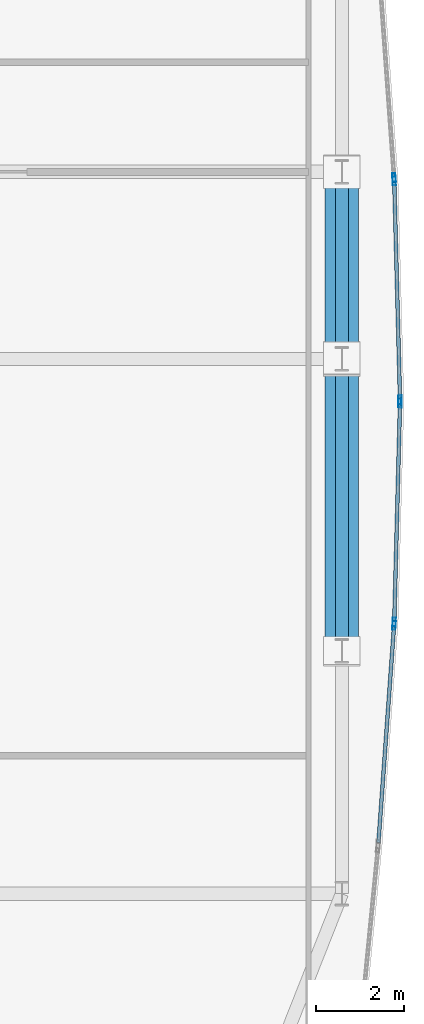
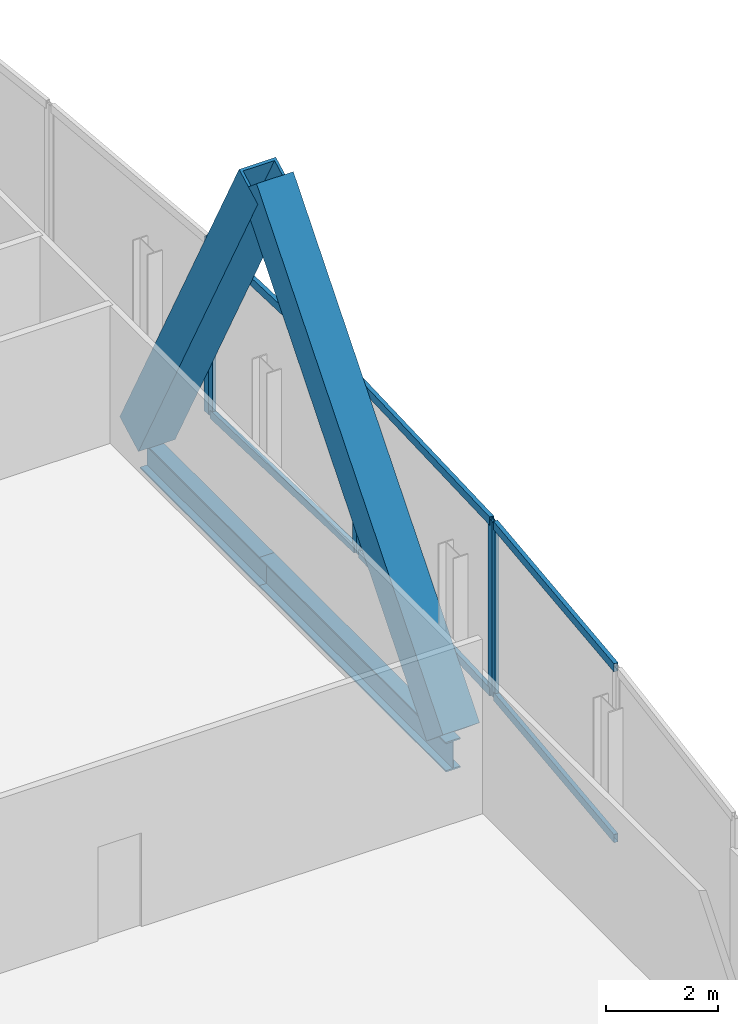
# One storey, part 22 of 33: 14 members, 2 beams, 4 elements without a shape of their own.
"""IFC4 building model written with IfcOpenShell, lengths in metres."""

from ifc_helpers import new_model, si_unit, direction, frame, origin, origin_2d, place, context, subcontext, project, spatial, hollow_rectangle, i_section, extrude, material, material_profile, profile_set, type_object, element, aggregate, save


model = new_model("IFC4")

# Units and contexts
model_context = context("Model", 3, precision=1e-05, world=origin(), true_north=direction((0.0, 1.0)))
body_context = subcontext(model_context, "Body", "Model", "MODEL_VIEW")
ifc_project = project(units=[si_unit("LENGTHUNIT", "METRE"), si_unit("AREAUNIT", "SQUARE_METRE"), si_unit("VOLUMEUNIT", "CUBIC_METRE"), si_unit("PLANEANGLEUNIT", "RADIAN"), si_unit("MASSUNIT", "GRAM", prefix="KILO")], contexts=[model_context])

# Site, building, storey
site_placement = place(None, origin())
site = spatial("IfcSite", under=ifc_project, at=site_placement, CompositionType="ELEMENT")
building_placement = place(site_placement, origin())
building = spatial("IfcBuilding", under=site, at=building_placement, Name="Khoronbel Lancet Exchange", CompositionType="ELEMENT")
storey_placement = place(building_placement, frame((0.0, 0.0, 73.800048828125)))
storey = spatial("IfcBuildingStorey", under=building, at=storey_placement, Name="L17", CompositionType="ELEMENT", Elevation=73.800048828125)

# Beams
ifc_material_1 = material(Name="Steel S355", Category="steel")
ifc_material_profile_1 = material_profile(ifc_material_1, i_section(OverallWidth=0.300048828125, OverallDepth=0.64990234375, WebThickness=0.01611328125, FlangeThickness=0.031005859375, at=origin_2d()), Name="HEB 650")
ifc_profile_set_1 = profile_set([ifc_material_profile_1], Name="Steel S355")
beam_type = type_object("IfcBeamType", Name="BM-BSP1", PredefinedType="SPANDREL", material=ifc_profile_set_1)
beam_1_placement = place(storey_placement, frame((71.6298828125, 24.75, -0.505126953125), z_axis=(0.0, 1.0, 0.0), x_axis=(-1.0, 0.0, 0.0)))
element("IfcBeam", 1, at=beam_1_placement, inside=storey, type_object=beam_type, Name="Level L17 perimeter spandrel beam SP12", PredefinedType="SPANDREL", context=body_context, shape_type="SweptSolid", body=[
    extrude(i_section(OverallWidth=0.300048828125, OverallDepth=0.64990234375, WebThickness=0.01611328125, FlangeThickness=0.031005859375, at=origin_2d()), origin(), (0.0, 0.0, 1.0), 6.675048828125),
])
beam_2_placement = place(storey_placement, frame((71.6298828125, 31.425048828125, -0.505126953125), z_axis=(0.0, 1.0, 0.0), x_axis=(-1.0, 0.0, 0.0)))
element("IfcBeam", 2, at=beam_2_placement, inside=storey, type_object=beam_type, Name="Level L17 perimeter spandrel beam SP13", PredefinedType="SPANDREL", context=body_context, shape_type="SweptSolid", body=[
    extrude(i_section(OverallWidth=0.300048828125, OverallDepth=0.64990234375, WebThickness=0.01611328125, FlangeThickness=0.031005859375, at=origin_2d()), origin(), (0.0, 0.0, 1.0), 4.27490234375),
])

# Curtain wall, member
ifc_material_2 = material(Name="Low-E Solar Control Insulating Glass", Category="glass")
curtain_wall_type = type_object("IfcCurtainWallType", Name="CW-4", PredefinedType="NOTDEFINED", material=ifc_material_2)
curtain_wall_1_placement = place(storey_placement, origin())
curtain_wall_1 = element("IfcCurtainWall", 3, at=curtain_wall_1_placement, inside=storey, type_object=curtain_wall_type, Name="Unitised curtain wall CW-L17-E18", PredefinedType="NOTDEFINED")
ifc_material_3 = material(Name="Bronze-Anodised Aluminium 6063-T6", Category="aluminium")
ifc_material_profile_2 = material_profile(ifc_material_3, hollow_rectangle(XDim=0.074951171875, YDim=0.199951171875, WallThickness=0.0048828125, at=origin_2d()), Name="ALU MULLION 75x200")
ifc_profile_set_2 = profile_set([ifc_material_profile_2], Name="Bronze-Anodised Aluminium 6063-T6")
member_type_1 = type_object("IfcMemberType", Name="MEM-CWM2", PredefinedType="MULLION", material=ifc_profile_set_2)
member_1_placement = place(storey_placement, frame((72.823486328125, 35.56640625, 0.0), z_axis=(0.0, 0.0, 1.0), x_axis=(0.997417674327, 0.071819098708, 0.0)))
member_1 = element("IfcMember", 4, at=member_1_placement, type_object=member_type_1, Name="CW4 mullion 2", PredefinedType="MULLION", context=body_context, shape_type="SweptSolid", body=[
    extrude(hollow_rectangle(XDim=0.074951171875, YDim=0.199951171875, WallThickness=0.0048828125, at=origin_2d()), origin(), (0.0, 0.0, 1.0), 3.820068359375),
])
aggregate(curtain_wall_1, [member_1])

# Curtain wall, members
curtain_wall_2_placement = place(storey_placement, origin())
curtain_wall_2 = element("IfcCurtainWall", 5, at=curtain_wall_2_placement, inside=storey, type_object=curtain_wall_type, Name="Unitised curtain wall CW-L17-E19", PredefinedType="NOTDEFINED")
member_2_placement = place(storey_placement, frame((72.8271484375, 35.491455078125, 0.0), z_axis=(0.0, 0.0, 1.0), x_axis=(0.999652651433, 0.026354818961, 0.0)))
member_2 = element("IfcMember", 6, at=member_2_placement, type_object=member_type_1, Name="CW4 mullion 1", PredefinedType="MULLION", context=body_context, shape_type="SweptSolid", body=[
    extrude(hollow_rectangle(XDim=0.074951171875, YDim=0.199951171875, WallThickness=0.0048828125, at=origin_2d()), origin(), (0.0, 0.0, 1.0), 3.820068359375),
])
member_3_placement = place(storey_placement, frame((72.958984375, 30.487548828125, 0.0), z_axis=(0.0, 0.0, 1.0), x_axis=(0.999652651433, 0.026354818961, 0.0)))
member_3 = element("IfcMember", 7, at=member_3_placement, type_object=member_type_1, Name="CW4 mullion 2", PredefinedType="MULLION", context=body_context, shape_type="SweptSolid", body=[
    extrude(hollow_rectangle(XDim=0.074951171875, YDim=0.199951171875, WallThickness=0.0048828125, at=origin_2d()), origin(), (0.0, 0.0, 1.0), 3.820068359375),
])

curtain_wall_3_placement = place(storey_placement, origin())
curtain_wall_3 = element("IfcCurtainWall", 8, at=curtain_wall_3_placement, inside=storey, type_object=curtain_wall_type, Name="Unitised curtain wall CW-L17-E20", PredefinedType="NOTDEFINED")
member_4_placement = place(storey_placement, frame((72.958984375, 30.41259765625, 0.0), z_axis=(0.0, 0.0, 1.0), x_axis=(0.999652651433, -0.026354818961, 0.0)))
member_4 = element("IfcMember", 9, at=member_4_placement, type_object=member_type_1, Name="CW4 mullion 1", PredefinedType="MULLION", context=body_context, shape_type="SweptSolid", body=[
    extrude(hollow_rectangle(XDim=0.074951171875, YDim=0.199951171875, WallThickness=0.0048828125, at=origin_2d()), origin(), (0.0, 0.0, 1.0), 3.820068359375),
])
member_5_placement = place(storey_placement, frame((72.8271484375, 25.40869140625, 0.0), z_axis=(0.0, 0.0, 1.0), x_axis=(0.999652651433, -0.026354818961, 0.0)))
member_5 = element("IfcMember", 10, at=member_5_placement, type_object=member_type_1, Name="CW4 mullion 2", PredefinedType="MULLION", context=body_context, shape_type="SweptSolid", body=[
    extrude(hollow_rectangle(XDim=0.074951171875, YDim=0.199951171875, WallThickness=0.0048828125, at=origin_2d()), origin(), (0.0, 0.0, 1.0), 3.820068359375),
])

# Curtain wall, member
curtain_wall_4_placement = place(storey_placement, origin())
curtain_wall_4 = element("IfcCurtainWall", 11, at=curtain_wall_4_placement, inside=storey, type_object=curtain_wall_type, Name="Unitised curtain wall CW-L17-E21", PredefinedType="NOTDEFINED")
member_6_placement = place(storey_placement, frame((72.823486328125, 25.333740234375, 0.0), z_axis=(0.0, 0.0, 1.0), x_axis=(0.997417674327, -0.071819098708, 0.0)))
member_6 = element("IfcMember", 12, at=member_6_placement, type_object=member_type_1, Name="CW4 mullion 1", PredefinedType="MULLION", context=body_context, shape_type="SweptSolid", body=[
    extrude(hollow_rectangle(XDim=0.074951171875, YDim=0.199951171875, WallThickness=0.0048828125, at=origin_2d()), origin(), (0.0, 0.0, 1.0), 3.820068359375),
])

# Member
ifc_material_profile_3 = material_profile(ifc_material_3, hollow_rectangle(XDim=0.0849609375, YDim=0.179931640625, WallThickness=0.0048828125, at=origin_2d()), Name="ALU TRANSOM 85x180")
ifc_profile_set_3 = profile_set([ifc_material_profile_3], Name="Bronze-Anodised Aluminium 6063-T6")
member_type_2 = type_object("IfcMemberType", Name="MEM-CWT1", PredefinedType="USERDEFINED", material=ifc_profile_set_3)
member_7_placement = place(storey_placement, frame((72.828125, 35.453857421875, 0.04248046875), z_axis=(0.026341839247, -0.999652993546, 0.0), x_axis=(0.999652993546, 0.026341839247, 0.0)))
member_7 = element("IfcMember", 13, at=member_7_placement, type_object=member_type_2, Name="CW4 transom 1.1", ObjectType="TRANSOM", PredefinedType="USERDEFINED", context=body_context, shape_type="SweptSolid", body=[
    extrude(hollow_rectangle(XDim=0.0849609375, YDim=0.179931640625, WallThickness=0.0048828125, at=origin_2d()), origin(), (0.0, 0.0, 1.0), 4.9306640625),
])

member_8_placement = place(storey_placement, frame((72.828125, 35.453857421875, 3.77734375), z_axis=(0.026341839247, -0.999652993546, 0.0), x_axis=(0.999652993546, 0.026341839247, 0.0)))
member_8 = element("IfcMember", 14, at=member_8_placement, type_object=member_type_2, Name="CW4 transom 1.2", ObjectType="TRANSOM", PredefinedType="USERDEFINED", context=body_context, shape_type="SweptSolid", body=[
    extrude(hollow_rectangle(XDim=0.0849609375, YDim=0.179931640625, WallThickness=0.0048828125, at=origin_2d()), origin(), (0.0, 0.0, 1.0), 4.9306640625),
])

aggregate(curtain_wall_2, [member_2, member_3, member_7, member_8])

member_9_placement = place(storey_placement, frame((72.9580078125, 30.375, 0.04248046875), z_axis=(-0.026341839247, -0.999652993546, 0.0), x_axis=(0.999652993546, -0.026341839247, 0.0)))
member_9 = element("IfcMember", 15, at=member_9_placement, type_object=member_type_2, Name="CW4 transom 1.1", ObjectType="TRANSOM", PredefinedType="USERDEFINED", context=body_context, shape_type="SweptSolid", body=[
    extrude(hollow_rectangle(XDim=0.0849609375, YDim=0.179931640625, WallThickness=0.0048828125, at=origin_2d()), origin(), (0.0, 0.0, 1.0), 4.9306640625),
])

member_10_placement = place(storey_placement, frame((72.9580078125, 30.375, 3.77734375), z_axis=(-0.026341839247, -0.999652993546, 0.0), x_axis=(0.999652993546, -0.026341839247, 0.0)))
member_10 = element("IfcMember", 16, at=member_10_placement, type_object=member_type_2, Name="CW4 transom 1.2", ObjectType="TRANSOM", PredefinedType="USERDEFINED", context=body_context, shape_type="SweptSolid", body=[
    extrude(hollow_rectangle(XDim=0.0849609375, YDim=0.179931640625, WallThickness=0.0048828125, at=origin_2d()), origin(), (0.0, 0.0, 1.0), 4.9306640625),
])

aggregate(curtain_wall_3, [member_4, member_5, member_9, member_10])

member_11_placement = place(storey_placement, frame((72.82080078125, 25.29638671875, 0.04248046875), z_axis=(-0.071857727669, -0.997414892096, 0.0), x_axis=(0.997414892096, -0.071857727669, 0.0)))
member_11 = element("IfcMember", 17, at=member_11_placement, type_object=member_type_2, Name="CW4 transom 1.1", ObjectType="TRANSOM", PredefinedType="USERDEFINED", context=body_context, shape_type="SweptSolid", body=[
    extrude(hollow_rectangle(XDim=0.0849609375, YDim=0.179931640625, WallThickness=0.0048828125, at=origin_2d()), origin(), (0.0, 0.0, 1.0), 4.943359375),
])

member_12_placement = place(storey_placement, frame((72.82080078125, 25.29638671875, 3.77734375), z_axis=(-0.071857727669, -0.997414892096, 0.0), x_axis=(0.997414892096, -0.071857727669, 0.0)))
member_12 = element("IfcMember", 18, at=member_12_placement, type_object=member_type_2, Name="CW4 transom 1.2", ObjectType="TRANSOM", PredefinedType="USERDEFINED", context=body_context, shape_type="SweptSolid", body=[
    extrude(hollow_rectangle(XDim=0.0849609375, YDim=0.179931640625, WallThickness=0.0048828125, at=origin_2d()), origin(), (0.0, 0.0, 1.0), 4.943359375),
])

aggregate(curtain_wall_4, [member_6, member_11, member_12])

# Members
ifc_material_4 = material(Name="Steel S460", Category="steel")
ifc_material_profile_4 = material_profile(ifc_material_4, hollow_rectangle(XDim=0.760009765625, YDim=0.760009765625, WallThickness=0.054931640625, at=origin_2d()), Name="BOX 760x760x55")
ifc_profile_set_4 = profile_set([ifc_material_profile_4], Name="Steel S460")
member_type_3 = type_object("IfcMemberType", Name="MEM-MB1", PredefinedType="BRACE", material=ifc_profile_set_4)
member_13_placement = place(storey_placement, frame((71.6298828125, 24.75, 0.0), z_axis=(0.0, 0.640659067021, 0.76782547486), x_axis=(-1.0, 0.0, 0.0)))
element("IfcMember", 19, at=member_13_placement, inside=storey, type_object=member_type_3, Name="Perimeter lancet brace tier 5 E-P-L", PredefinedType="BRACE", context=body_context, shape_type="SweptSolid", body=[
    extrude(hollow_rectangle(XDim=0.760009765625, YDim=0.760009765625, WallThickness=0.054931640625, at=origin_2d()), origin(), (0.0, 0.0, 1.0), 10.4189453125),
])
member_14_placement = place(storey_placement, frame((71.6298828125, 35.699951171875, 0.0), z_axis=(0.0, -0.471294972251, 0.881975651098), x_axis=(1.0, 0.0, 0.0)))
element("IfcMember", 20, at=member_14_placement, inside=storey, type_object=member_type_3, Name="Perimeter lancet brace tier 5 E-P-R", PredefinedType="BRACE", context=body_context, shape_type="SweptSolid", body=[
    extrude(hollow_rectangle(XDim=0.760009765625, YDim=0.760009765625, WallThickness=0.054931640625, at=origin_2d()), origin(), (0.0, 0.0, 1.0), 9.070556640625),
])

save(model, "model.ifc")
